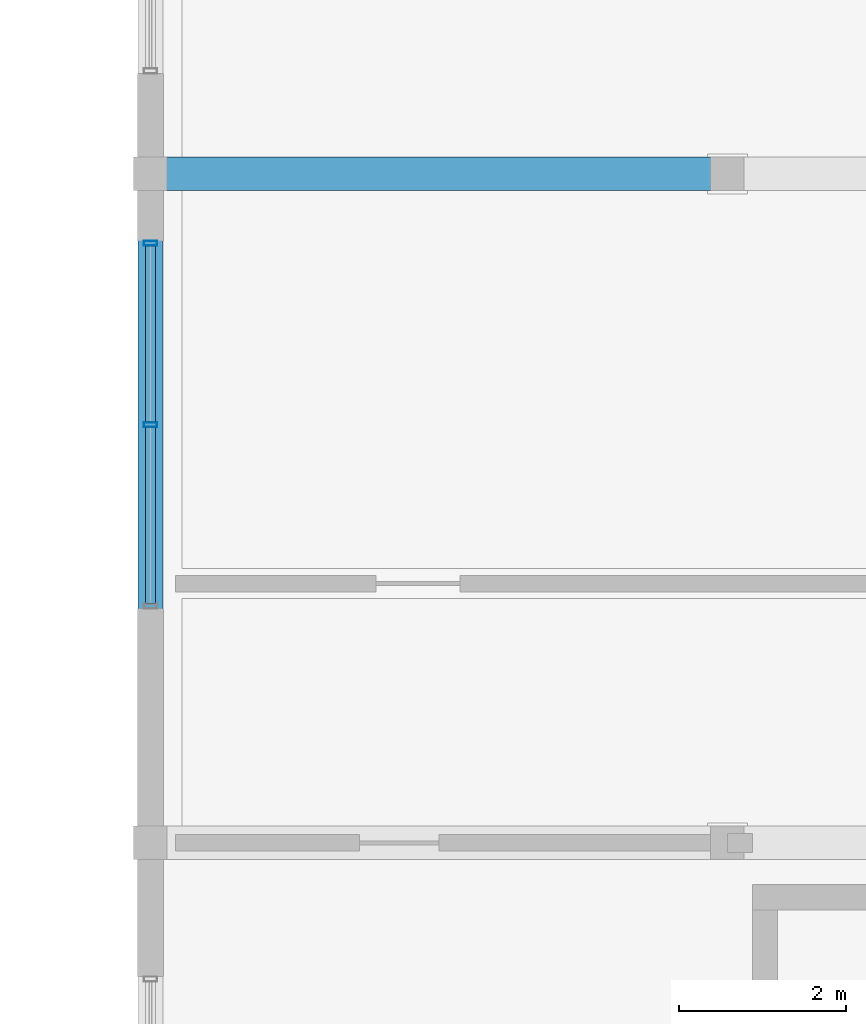
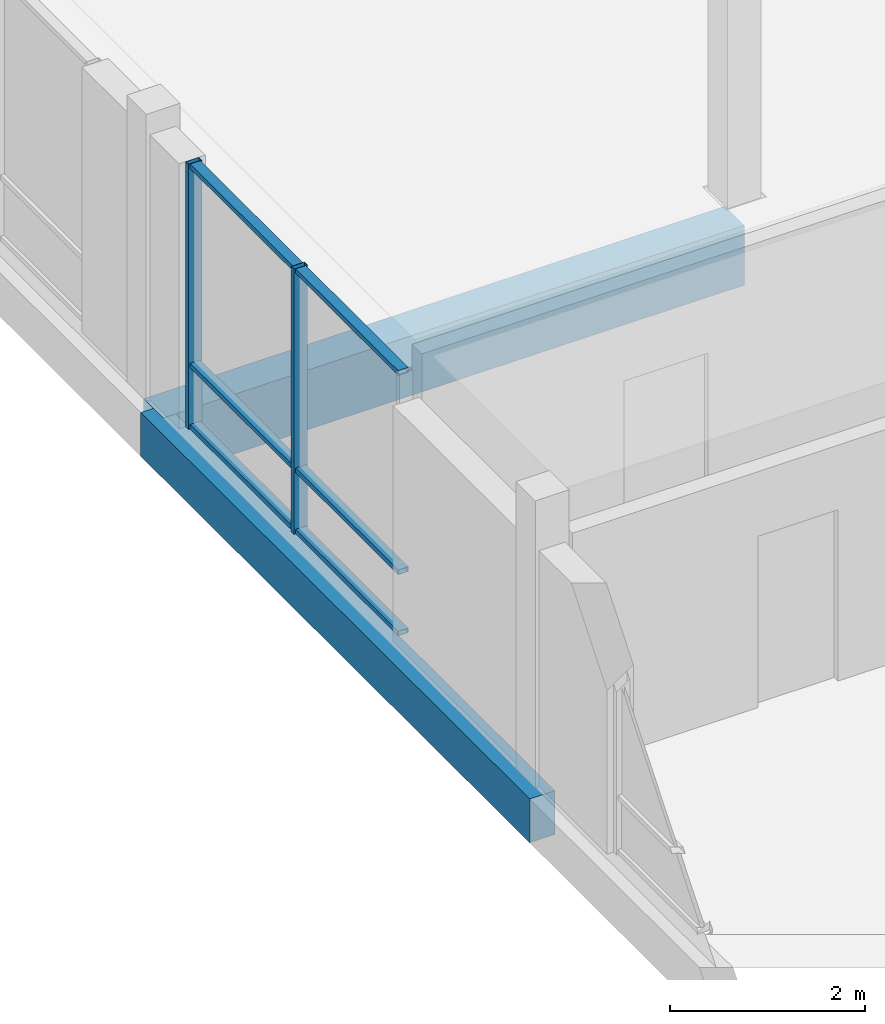
# One storey, part 24 of 189: 8 members, 2 beams, 1 element without a shape of its own.
"""IFC4 building model written with IfcOpenShell, lengths in metres."""

import ifcopenshell
import ifcopenshell.guid

model = None  # the IFC model being written
_history = None  # IfcOwnerHistory: only IFC2X3 demands one
_inside = {}  # id of a spatial element -> (the spatial element, [elements in it])
_under = {}  # id of a project, library or spatial element -> (it, [spatial elements below it])
_declared = {}  # id of a project -> (the project, [libraries it declares])
_typed = {}  # id of a type object -> (the type object, [elements of that type])
_made_of = {}  # id of a material, layer set ... -> (it, [elements and type objects made of it])


def new_model(schema):
    """Start an empty IFC model of exactly this schema.

    Asked for "IFC4X3", IfcOpenShell would pick the latest addendum, in which some entities
    have other attributes; the version numbers below select the first issue.
    IFC2X3 requires an IfcOwnerHistory on every rooted entity: one is made here for all.
    """
    global model, _history
    if schema == "IFC4X3":
        model = ifcopenshell.file(schema_version=(4, 3, 0, 0))
    else:
        model = ifcopenshell.file(schema=schema)
    _inside.clear()
    _under.clear()
    _declared.clear()
    _typed.clear()
    _made_of.clear()
    _history = None
    if model.schema == "IFC2X3":
        org = make("IfcOrganization", Name="unknown")
        user = make(
            "IfcPersonAndOrganization",
            ThePerson=make("IfcPerson", FamilyName="unknown"),
            TheOrganization=org,
        )
        app = make(
            "IfcApplication",
            ApplicationDeveloper=org,
            Version="unknown",
            ApplicationFullName="unknown",
            ApplicationIdentifier="unknown",
        )
        _history = make(
            "IfcOwnerHistory",
            OwningUser=user,
            OwningApplication=app,
            ChangeAction="ADDED",
            CreationDate=0,
        )
    return model


def make(cls, **values):
    """One entity of the class cls with the attributes given. An attribute that is None is left unset."""
    return model.create_entity(
        cls, **{name: value for name, value in values.items() if value is not None}
    )


def rooted(cls, **values):
    """An entity with a GlobalId (a new one), such as an element, a storey or a relation."""
    return make(cls, GlobalId=ifcopenshell.guid.new(), OwnerHistory=_history, **values)


def si_unit(unit_type, name, prefix=None):
    """IfcSIUnit, for example si_unit("LENGTHUNIT", "METRE", prefix="MILLI")."""
    return make("IfcSIUnit", UnitType=unit_type, Prefix=prefix, Name=name)


def assignment(units):
    """IfcUnitAssignment: the units of a project."""
    return None if units is None else make("IfcUnitAssignment", Units=units)


def point(xyz):
    """IfcCartesianPoint."""
    return None if xyz is None else make("IfcCartesianPoint", Coordinates=xyz)


def direction(xyz):
    """IfcDirection."""
    return None if xyz is None else make("IfcDirection", DirectionRatios=xyz)


def frame(location, z_axis=None, x_axis=None):
    """IfcAxis2Placement3D, a coordinate frame: its origin and axes. An axis left out is left unset."""
    return make(
        "IfcAxis2Placement3D",
        Location=point(location),
        Axis=direction(z_axis),
        RefDirection=direction(x_axis),
    )


def frame_2d(location, x_axis=None):
    """IfcAxis2Placement2D, a coordinate frame in the plane: its origin and x axis."""
    return make(
        "IfcAxis2Placement2D", Location=point(location), RefDirection=direction(x_axis)
    )


def origin():
    """The frame at (0, 0, 0) with its axes left unset."""
    return frame((0.0, 0.0, 0.0))


def origin_2d():
    """The frame at (0, 0) in the plane with its x axis left unset."""
    return frame_2d((0.0, 0.0))


def place(relative_to, where):
    """IfcLocalPlacement: puts the frame where relative to a parent placement (None: the world)."""
    return make(
        "IfcLocalPlacement", PlacementRelTo=relative_to, RelativePlacement=where
    )


def context(
    kind, dimensions, precision=None, world=None, true_north=None, identifier=None
):
    """IfcGeometricRepresentationContext, for example the 3D "Model" context."""
    return make(
        "IfcGeometricRepresentationContext",
        ContextIdentifier=identifier,
        ContextType=kind,
        CoordinateSpaceDimension=dimensions,
        Precision=precision,
        WorldCoordinateSystem=world,
        TrueNorth=true_north,
    )


def subcontext(parent, identifier, kind, view, scale=None):
    """IfcGeometricRepresentationSubContext, for example "Body" below "Model"."""
    return make(
        "IfcGeometricRepresentationSubContext",
        ContextIdentifier=identifier,
        ContextType=kind,
        ParentContext=parent,
        TargetScale=scale,
        TargetView=view,
    )


def project(units=None, contexts=None):
    """IfcProject with its units and contexts."""
    return rooted(
        "IfcProject",
        Name="project",
        RepresentationContexts=contexts,
        UnitsInContext=assignment(units),
    )


def spatial(cls, under=None, at=None, **own):
    """A site, building, storey or space (cls), placed at a placement, below another one or the project."""
    s = rooted(cls, ObjectPlacement=at, **own)
    if under is not None:
        _under.setdefault(under.id(), (under, []))[1].append(s)
    return s


def profile(cls, at=None, kind="AREA", **sizes):
    """A parametric profile (cls). Its sizes go by their IFC names, for example OverallWidth=200.0."""
    return make(cls, ProfileType=kind, Position=at, **sizes)


def rectangle(**sizes):
    """IfcRectangleProfileDef."""
    return profile("IfcRectangleProfileDef", **sizes)


def hollow_rectangle(**sizes):
    """IfcRectangleHollowProfileDef."""
    return profile("IfcRectangleHollowProfileDef", **sizes)


def extrude(swept, where, along, depth):
    """IfcExtrudedAreaSolid: the profile swept, set in the frame where, extruded along a direction by depth."""
    return make(
        "IfcExtrudedAreaSolid",
        SweptArea=swept,
        Position=where,
        ExtrudedDirection=direction(along),
        Depth=depth,
    )


def shape(context_of_items, identifier, shape_type, items):
    """IfcShapeRepresentation: the items that make up one representation, for example the "Body"."""
    return make(
        "IfcShapeRepresentation",
        ContextOfItems=context_of_items,
        RepresentationIdentifier=identifier,
        RepresentationType=shape_type,
        Items=items,
    )


def material(Name=None, Category=None):
    """IfcMaterial."""
    return make("IfcMaterial", Name=Name, Category=Category)


def material_profile(
    of_material, cross_section, Name=None, Category=None, Priority=None
):
    """IfcMaterialProfile: a cross section and its material."""
    return make(
        "IfcMaterialProfile",
        Name=Name,
        Material=of_material,
        Profile=cross_section,
        Priority=Priority,
        Category=Category,
    )


def profile_set(profiles, Name=None, composite=None):
    """IfcMaterialProfileSet."""
    return make(
        "IfcMaterialProfileSet",
        Name=Name,
        MaterialProfiles=profiles,
        CompositeProfile=composite,
    )


def made_of(thing, what):
    """Note that an element or type object is made of a material, layer set ...; save() writes the relation."""
    if what is not None:
        _made_of.setdefault(what.id(), (what, []))[1].append(thing)
    return thing


def type_object(cls, material=None, **own):
    """A type object (cls), such as IfcWallType, which elements share."""
    return made_of(rooted(cls, **own), material)


def element(
    cls,
    number,
    at=None,
    inside=None,
    cuts=None,
    type_object=None,
    material=None,
    context=None,
    identifier="Body",
    shape_type=None,
    held_by="IfcProductDefinitionShape",
    body=None,
    shapes=None,
    **own,
):
    """One element of the class cls, such as IfcWall. Its Tag is "e" and its number.

    at: its placement. inside: the storey or other place that contains it. cuts: it is an
    opening in that element (IfcRelVoidsElement). A single representation is given by context,
    identifier, shape_type and body (its items); several are given by shapes. held_by: the class
    of the entity that holds the representations. save() writes the other relations.
    """
    e = rooted(cls, Tag="e%d" % number, ObjectPlacement=at, **own)
    if body is not None:
        shapes = [shape(context, identifier, shape_type, body)]
    if shapes is not None:
        e.Representation = make(held_by, Representations=shapes)
    if inside is not None:
        _inside.setdefault(inside.id(), (inside, []))[1].append(e)
    if cuts is not None:
        rooted(
            "IfcRelVoidsElement", RelatingBuildingElement=cuts, RelatedOpeningElement=e
        )
    if type_object is not None:
        _typed.setdefault(type_object.id(), (type_object, []))[1].append(e)
    return made_of(e, material)


def aggregate(whole, parts):
    """IfcRelAggregates: a whole, such as a stair, and the parts it consists of."""
    return rooted("IfcRelAggregates", RelatingObject=whole, RelatedObjects=parts)


def save(model, path):
    """Write the relations noted so far, then the file.

    IfcRelAggregates (storeys below a building ...), IfcRelContainedInSpatialStructure (elements
    in a storey), IfcRelDefinesByType, IfcRelAssociatesMaterial and IfcRelDeclares: one each for
    every whole, place, type object, material and project.
    """
    for whole, parts in _under.values():
        aggregate(whole, parts)
    for where, things in _inside.values():
        rooted(
            "IfcRelContainedInSpatialStructure",
            RelatedElements=things,
            RelatingStructure=where,
        )
    for kind, things in _typed.values():
        rooted("IfcRelDefinesByType", RelatedObjects=things, RelatingType=kind)
    for what, things in _made_of.values():
        rooted("IfcRelAssociatesMaterial", RelatedObjects=things, RelatingMaterial=what)
    for by, libraries in _declared.values():
        rooted("IfcRelDeclares", RelatingContext=by, RelatedDefinitions=libraries)
    model.write(path)


model = new_model("IFC4")

# Units and contexts
model_context = context("Model", 3, precision=1e-05, world=origin(), true_north=direction((0.0, 1.0)))
body_context = subcontext(model_context, "Body", "Model", "MODEL_VIEW")
ifc_project = project(units=[si_unit("LENGTHUNIT", "METRE"), si_unit("AREAUNIT", "SQUARE_METRE"), si_unit("VOLUMEUNIT", "CUBIC_METRE"), si_unit("PLANEANGLEUNIT", "RADIAN"), si_unit("MASSUNIT", "GRAM", prefix="KILO")], contexts=[model_context])

# Site, building, storey
site_placement = place(None, origin())
site = spatial("IfcSite", under=ifc_project, at=site_placement, CompositionType="ELEMENT")
building_placement = place(site_placement, origin())
building = spatial("IfcBuilding", under=site, at=building_placement, Name="Zavelmont Quarter", CompositionType="ELEMENT")
storey_placement = place(building_placement, frame((0.0, 0.0, 4.39990234375)))
storey = spatial("IfcBuildingStorey", under=building, at=storey_placement, Name="L01", CompositionType="ELEMENT", Elevation=4.39990234375)

# Beams
ifc_material_1 = material(Name="Concrete C35/45", Category="concrete")
ifc_material_profile_1 = material_profile(ifc_material_1, rectangle(XDim=0.300048828125, YDim=0.550048828125, at=origin_2d()), Name="RC300X550")
ifc_profile_set_1 = profile_set([ifc_material_profile_1], Name="Concrete C35/45")
beam_type_1 = type_object("IfcBeamType", Name="BM02", PredefinedType="SPANDREL", material=ifc_profile_set_1)
beam_1_placement = place(storey_placement, frame((0.0, 38.0, -0.554931640625), z_axis=(0.0, 1.0, 0.0), x_axis=(-1.0, 0.0, 0.0)))
element("IfcBeam", 1, at=beam_1_placement, inside=storey, type_object=beam_type_1, Name="L01 beam BM02 1/G to 1/H", PredefinedType="SPANDREL", context=body_context, shape_type="SweptSolid", body=[
    extrude(rectangle(XDim=0.300048828125, YDim=0.550048828125, at=origin_2d()), origin(), (0.0, 0.0, 1.0), 8.0),
])
ifc_material_2 = material(Name="Concrete C40/50", Category="concrete")
ifc_material_profile_2 = material_profile(ifc_material_2, rectangle(XDim=0.39990234375, YDim=0.75, at=origin_2d()), Name="RC400X750")
ifc_profile_set_2 = profile_set([ifc_material_profile_2], Name="Concrete C40/50")
beam_type_2 = type_object("IfcBeamType", Name="BM05", PredefinedType="BEAM", material=ifc_profile_set_2)
beam_2_placement = place(storey_placement, frame((0.0, 46.0, -0.65478515625), z_axis=(1.0, 0.0, 0.0), x_axis=(0.0, 1.0, 0.0)))
element("IfcBeam", 2, at=beam_2_placement, inside=storey, type_object=beam_type_2, Name="L01 beam BM05 1/H to 2/H", PredefinedType="BEAM", context=body_context, shape_type="SweptSolid", body=[
    extrude(rectangle(XDim=0.39990234375, YDim=0.75, at=origin_2d()), origin(), (0.0, 0.0, 1.0), 6.89990234375),
])

# Curtain wall, members
ifc_material_3 = material(Name="Thermally broken aluminium and double low-E safety glazing", Category="aluminium")
curtain_wall_type = type_object("IfcCurtainWallType", Name="CW-440X333", PredefinedType="NOTDEFINED", material=ifc_material_3)
curtain_wall_placement = place(storey_placement, origin())
curtain_wall = element("IfcCurtainWall", 3, at=curtain_wall_placement, inside=storey, type_object=curtain_wall_type, Name="L01 unitised curtain wall CW-440X333", PredefinedType="NOTDEFINED")
ifc_material_4 = material(Name="Powder-coated aluminium EN AW-6063-T6", Category="aluminium")
ifc_material_profile_3 = material_profile(ifc_material_4, hollow_rectangle(XDim=0.06005859375, YDim=0.159912109375, WallThickness=0.00390625, at=origin_2d()), Name="CWM60X160")
ifc_profile_set_3 = profile_set([ifc_material_profile_3], Name="Powder-coated aluminium EN AW-6063-T6")
member_type_1 = type_object("IfcMemberType", Name="CWM01", PredefinedType="MULLION", material=ifc_profile_set_3)
member_1_placement = place(storey_placement, frame((0.0, 43.0, 0.0), z_axis=(0.0, 0.0, 1.0), x_axis=(0.0, 1.0, 0.0)))
member_1 = element("IfcMember", 4, at=member_1_placement, type_object=member_type_1, Name="CW-440X333 mullion 2", PredefinedType="MULLION", context=body_context, shape_type="SweptSolid", body=[
    extrude(hollow_rectangle(XDim=0.06005859375, YDim=0.159912109375, WallThickness=0.00390625, at=origin_2d()), origin(), (0.0, 0.0, 1.0), 3.330078125),
])
member_2_placement = place(storey_placement, frame((0.0, 45.169921875, 0.0), z_axis=(0.0, 0.0, 1.0), x_axis=(0.0, 1.0, 0.0)))
member_2 = element("IfcMember", 5, at=member_2_placement, type_object=member_type_1, Name="CW-440X333 mullion 3", PredefinedType="MULLION", context=body_context, shape_type="SweptSolid", body=[
    extrude(hollow_rectangle(XDim=0.06005859375, YDim=0.159912109375, WallThickness=0.00390625, at=origin_2d()), origin(), (0.0, 0.0, 1.0), 3.330078125),
])
ifc_material_profile_4 = material_profile(ifc_material_4, hollow_rectangle(XDim=0.1201171875, YDim=0.06005859375, WallThickness=0.00390625, at=origin_2d()), Name="CWT60X120")
ifc_profile_set_4 = profile_set([ifc_material_profile_4], Name="Powder-coated aluminium EN AW-6063-T6")
member_type_2 = type_object("IfcMemberType", Name="CWT01", PredefinedType="NOTDEFINED", material=ifc_profile_set_4)
member_3_placement = place(storey_placement, frame((0.0, 40.860107421875, 0.030029296875), z_axis=(0.0, 1.0, 0.0), x_axis=(-1.0, 0.0, 0.0)))
member_3 = element("IfcMember", 6, at=member_3_placement, type_object=member_type_2, Name="CW-440X333 transom 1.1", ObjectType="TRANSOM", PredefinedType="USERDEFINED", context=body_context, shape_type="SweptSolid", body=[
    extrude(hollow_rectangle(XDim=0.1201171875, YDim=0.06005859375, WallThickness=0.00390625, at=origin_2d()), origin(), (0.0, 0.0, 1.0), 2.10986328125),
])
member_4_placement = place(storey_placement, frame((0.0, 40.860107421875, 0.799072265625), z_axis=(0.0, 1.0, 0.0), x_axis=(-1.0, 0.0, 0.0)))
member_4 = element("IfcMember", 7, at=member_4_placement, type_object=member_type_2, Name="CW-440X333 transom 1.2", ObjectType="TRANSOM", PredefinedType="USERDEFINED", context=body_context, shape_type="SweptSolid", body=[
    extrude(hollow_rectangle(XDim=0.1201171875, YDim=0.06005859375, WallThickness=0.00390625, at=origin_2d()), origin(), (0.0, 0.0, 1.0), 2.10986328125),
])
member_5_placement = place(storey_placement, frame((0.0, 40.860107421875, 3.300048828125), z_axis=(0.0, 1.0, 0.0), x_axis=(-1.0, 0.0, 0.0)))
member_5 = element("IfcMember", 8, at=member_5_placement, type_object=member_type_2, Name="CW-440X333 transom 1.3", ObjectType="TRANSOM", PredefinedType="USERDEFINED", context=body_context, shape_type="SweptSolid", body=[
    extrude(hollow_rectangle(XDim=0.1201171875, YDim=0.06005859375, WallThickness=0.00390625, at=origin_2d()), origin(), (0.0, 0.0, 1.0), 2.10986328125),
])
member_6_placement = place(storey_placement, frame((0.0, 43.030029296875, 0.030029296875), z_axis=(0.0, 1.0, 0.0), x_axis=(-1.0, 0.0, 0.0)))
member_6 = element("IfcMember", 9, at=member_6_placement, type_object=member_type_2, Name="CW-440X333 transom 2.1", ObjectType="TRANSOM", PredefinedType="USERDEFINED", context=body_context, shape_type="SweptSolid", body=[
    extrude(hollow_rectangle(XDim=0.1201171875, YDim=0.06005859375, WallThickness=0.00390625, at=origin_2d()), origin(), (0.0, 0.0, 1.0), 2.10986328125),
])
member_7_placement = place(storey_placement, frame((0.0, 43.030029296875, 0.799072265625), z_axis=(0.0, 1.0, 0.0), x_axis=(-1.0, 0.0, 0.0)))
member_7 = element("IfcMember", 10, at=member_7_placement, type_object=member_type_2, Name="CW-440X333 transom 2.2", ObjectType="TRANSOM", PredefinedType="USERDEFINED", context=body_context, shape_type="SweptSolid", body=[
    extrude(hollow_rectangle(XDim=0.1201171875, YDim=0.06005859375, WallThickness=0.00390625, at=origin_2d()), origin(), (0.0, 0.0, 1.0), 2.10986328125),
])
member_8_placement = place(storey_placement, frame((0.0, 43.030029296875, 3.300048828125), z_axis=(0.0, 1.0, 0.0), x_axis=(-1.0, 0.0, 0.0)))
member_8 = element("IfcMember", 11, at=member_8_placement, type_object=member_type_2, Name="CW-440X333 transom 2.3", ObjectType="TRANSOM", PredefinedType="USERDEFINED", context=body_context, shape_type="SweptSolid", body=[
    extrude(hollow_rectangle(XDim=0.1201171875, YDim=0.06005859375, WallThickness=0.00390625, at=origin_2d()), origin(), (0.0, 0.0, 1.0), 2.10986328125),
])
aggregate(curtain_wall, [member_1, member_2, member_3, member_4, member_5, member_6, member_7, member_8])

save(model, "model.ifc")
